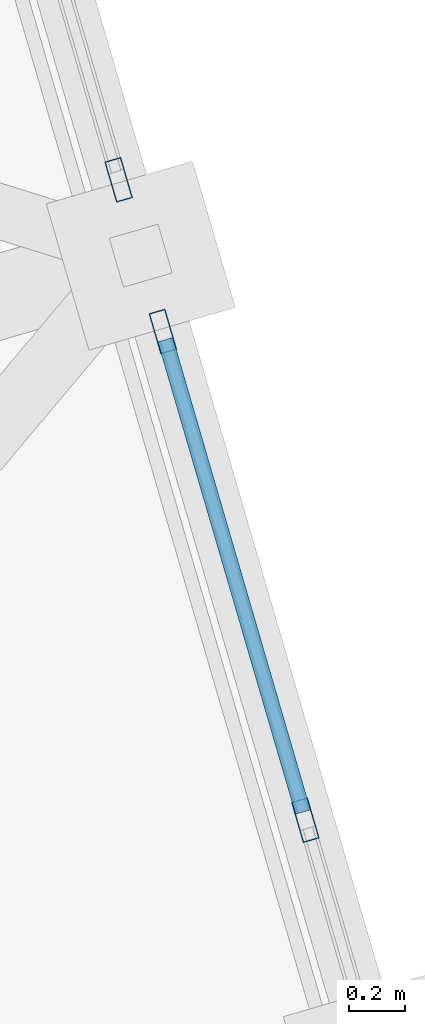
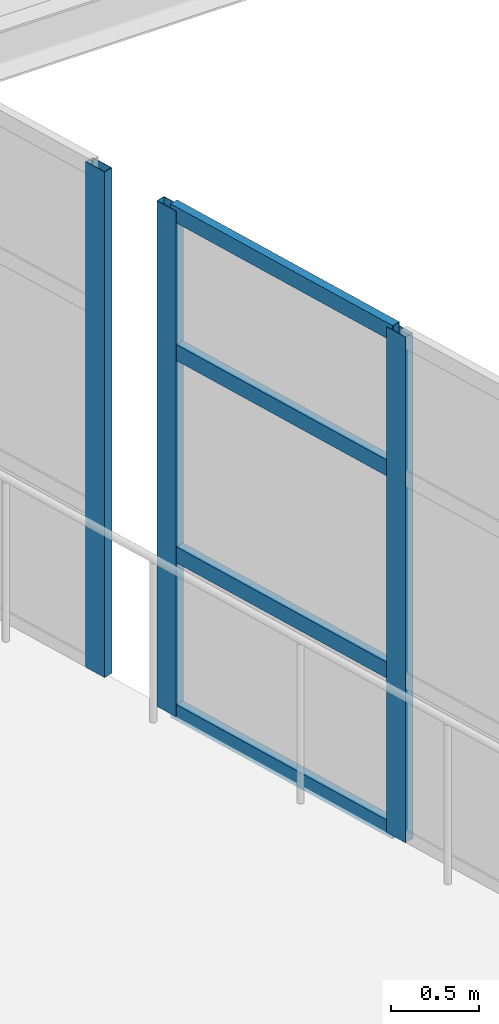
# One storey, part 84 of 248: 7 members, 2 elements without a shape of their own.
"""IFC4 building model written with IfcOpenShell, lengths in metres."""

from ifc_helpers import new_model, si_unit, direction, frame, origin, origin_2d, place, context, subcontext, project, spatial, hollow_rectangle, extrude, material, layer, layer_set, material_profile, profile_set, type_object, element, aggregate, save


model = new_model("IFC4")

# Units and contexts
model_context = context("Model", 3, precision=1e-05, world=origin(), true_north=direction((0.0, 1.0)))
body_context = subcontext(model_context, "Body", "Model", "MODEL_VIEW")
ifc_project = project(units=[si_unit("LENGTHUNIT", "METRE"), si_unit("AREAUNIT", "SQUARE_METRE"), si_unit("VOLUMEUNIT", "CUBIC_METRE"), si_unit("PLANEANGLEUNIT", "RADIAN"), si_unit("MASSUNIT", "GRAM", prefix="KILO")], contexts=[model_context])

# Site, building, storey
site_placement = place(None, origin())
site = spatial("IfcSite", under=ifc_project, at=site_placement, CompositionType="ELEMENT")
building_placement = place(site_placement, origin())
building = spatial("IfcBuilding", under=site, at=building_placement, Name="Canggui Botanical Conservatory", CompositionType="ELEMENT")
storey_placement = place(building_placement, frame((0.0, 0.0, 5.39990234375)))
storey = spatial("IfcBuildingStorey", under=building, at=storey_placement, Name="L02", CompositionType="ELEMENT", Elevation=5.39990234375)

# Curtain wall, members
ifc_material = material(Name="Thermally Broken Aluminium", Category="aluminium")
ifc_layer = layer(ifc_material, 0.14990234375, Name="Thermally Broken Aluminium", Category="aluminium")
ifc_layer_set = layer_set([ifc_layer], Name="Thermally Broken Aluminium")
curtain_wall_type = type_object("IfcCurtainWallType", Name="CW-UNIT-C", PredefinedType="USERDEFINED", material=ifc_layer_set)
curtain_wall_1_placement = place(storey_placement, origin())
curtain_wall_1 = element("IfcCurtainWall", 1, at=curtain_wall_1_placement, inside=storey, type_object=curtain_wall_type, Name="Facade Curtain Wall CW-CONS-GABLE-L02-N-02", ObjectType="UNITISED CURTAIN WALL", PredefinedType="USERDEFINED")
ifc_material_profile_1 = material_profile(ifc_material, hollow_rectangle(XDim=0.06005859375, YDim=0.14990234375, WallThickness=0.00341796875, at=origin_2d()), Name="CWM 60x150x3.5")
ifc_profile_set_1 = profile_set([ifc_material_profile_1], Name="Thermally Broken Aluminium")
member_type_1 = type_object("IfcMemberType", Name="CWM-03", PredefinedType="MULLION", material=ifc_profile_set_1)
member_1_placement = place(storey_placement, frame((69.063232421875, 66.639892578125, 0.0), z_axis=(0.0, 0.0, 1.0), x_axis=(-0.960000000002, -0.279999999995, 0.0)))
member_1 = element("IfcMember", 2, at=member_1_placement, type_object=member_type_1, Name="CW-03 mullion 3", PredefinedType="MULLION", context=body_context, shape_type="SweptSolid", body=[
    extrude(hollow_rectangle(XDim=0.06005859375, YDim=0.14990234375, WallThickness=0.00341796875, at=origin_2d()), origin(), (0.0, 0.0, 1.0), 3.5),
])
member_2_placement = place(storey_placement, frame((68.558349609375, 68.37109375, 0.0), z_axis=(0.0, 0.0, 1.0), x_axis=(-0.960000000002, -0.279999999995, 0.0)))
member_2 = element("IfcMember", 3, at=member_2_placement, type_object=member_type_1, Name="CW-03 mullion 4", PredefinedType="MULLION", context=body_context, shape_type="SweptSolid", body=[
    extrude(hollow_rectangle(XDim=0.06005859375, YDim=0.14990234375, WallThickness=0.00341796875, at=origin_2d()), origin(), (0.0, 0.0, 1.0), 3.5),
])

# Curtain wall, member
curtain_wall_2_placement = place(storey_placement, origin())
curtain_wall_2 = element("IfcCurtainWall", 4, at=curtain_wall_2_placement, inside=storey, type_object=curtain_wall_type, Name="Facade Curtain Wall CW-CONS-GABLE-L02-N-03", ObjectType="UNITISED CURTAIN WALL", PredefinedType="USERDEFINED")
member_3_placement = place(storey_placement, frame((68.401611328125, 68.90869140625, 0.0), z_axis=(0.0, 0.0, 1.0), x_axis=(-0.960000000002, -0.279999999995, 0.0)))
member_3 = element("IfcMember", 5, at=member_3_placement, type_object=member_type_1, Name="CW-03 mullion 1", PredefinedType="MULLION", context=body_context, shape_type="SweptSolid", body=[
    extrude(hollow_rectangle(XDim=0.06005859375, YDim=0.14990234375, WallThickness=0.00341796875, at=origin_2d()), origin(), (0.0, 0.0, 1.0), 3.5),
])
aggregate(curtain_wall_2, [member_3])

# Member
ifc_material_profile_2 = material_profile(ifc_material, hollow_rectangle(XDim=0.054931640625, YDim=0.110107421875, WallThickness=0.0029296875, at=origin_2d()), Name="CWT 55x110x3")
ifc_profile_set_2 = profile_set([ifc_material_profile_2], Name="Thermally Broken Aluminium")
member_type_2 = type_object("IfcMemberType", Name="CWT-03", PredefinedType="USERDEFINED", material=ifc_profile_set_2)
member_4_placement = place(storey_placement, frame((69.054931640625, 66.668701171875, 0.027587890625), z_axis=(-0.279951599808, 0.960014115399, 0.0), x_axis=(-0.960014115399, -0.279951599808, 0.0)))
member_4 = element("IfcMember", 6, at=member_4_placement, type_object=member_type_2, Name="CW-03 transom 3.1", ObjectType="TRANSOM", PredefinedType="USERDEFINED", context=body_context, shape_type="SweptSolid", body=[
    extrude(hollow_rectangle(XDim=0.054931640625, YDim=0.110107421875, WallThickness=0.0029296875, at=origin_2d()), origin(), (0.0, 0.0, 1.0), 1.743408203125),
])

member_5_placement = place(storey_placement, frame((69.054931640625, 66.668701171875, 1.1201171875), z_axis=(-0.279951599808, 0.960014115399, 0.0), x_axis=(-0.960014115399, -0.279951599808, 0.0)))
member_5 = element("IfcMember", 7, at=member_5_placement, type_object=member_type_2, Name="CW-03 transom 3.2", ObjectType="TRANSOM", PredefinedType="USERDEFINED", context=body_context, shape_type="SweptSolid", body=[
    extrude(hollow_rectangle(XDim=0.054931640625, YDim=0.110107421875, WallThickness=0.0029296875, at=origin_2d()), origin(), (0.0, 0.0, 1.0), 1.743408203125),
])

member_6_placement = place(storey_placement, frame((69.054931640625, 66.668701171875, 2.52001953125), z_axis=(-0.279951599808, 0.960014115399, 0.0), x_axis=(-0.960014115399, -0.279951599808, 0.0)))
member_6 = element("IfcMember", 8, at=member_6_placement, type_object=member_type_2, Name="CW-03 transom 3.3", ObjectType="TRANSOM", PredefinedType="USERDEFINED", context=body_context, shape_type="SweptSolid", body=[
    extrude(hollow_rectangle(XDim=0.054931640625, YDim=0.110107421875, WallThickness=0.0029296875, at=origin_2d()), origin(), (0.0, 0.0, 1.0), 1.743408203125),
])

member_7_placement = place(storey_placement, frame((69.054931640625, 66.668701171875, 3.47265625), z_axis=(-0.279951599808, 0.960014115399, 0.0), x_axis=(-0.960014115399, -0.279951599808, 0.0)))
member_7 = element("IfcMember", 9, at=member_7_placement, type_object=member_type_2, Name="CW-03 transom 3.4", ObjectType="TRANSOM", PredefinedType="USERDEFINED", context=body_context, shape_type="SweptSolid", body=[
    extrude(hollow_rectangle(XDim=0.054931640625, YDim=0.110107421875, WallThickness=0.0029296875, at=origin_2d()), origin(), (0.0, 0.0, 1.0), 1.743408203125),
])

aggregate(curtain_wall_1, [member_1, member_2, member_4, member_5, member_6, member_7])

save(model, "model.ifc")
